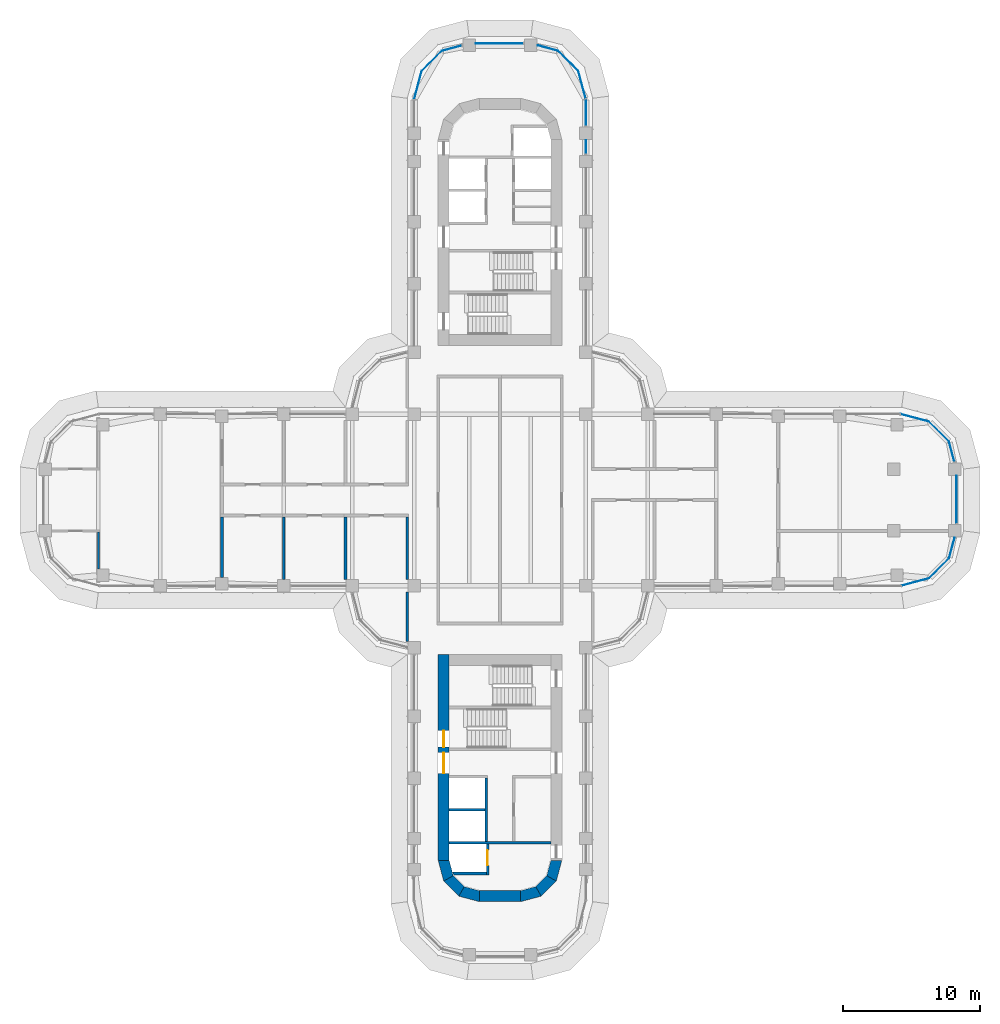
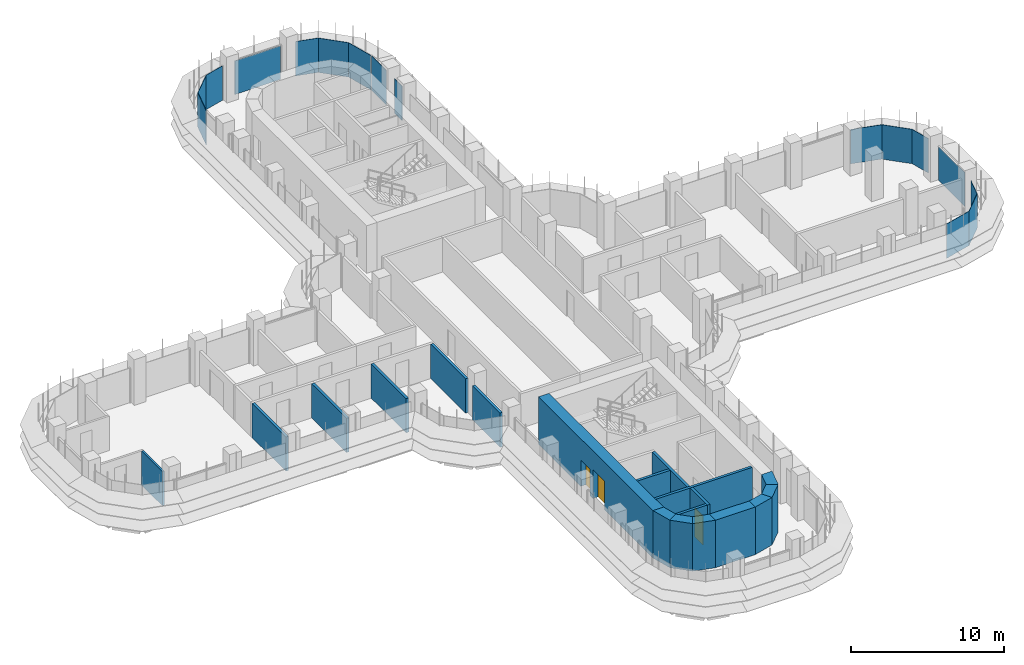
# One storey, part 16 of 23: 19 walls, 16 plates, 3 doors, 3 openings, 15 elements without a shape of their own.
"""IFC4 building model written with IfcOpenShell, lengths in metres."""

from ifc_helpers import new_model, si_unit, direction, frame, frame_2d, origin, place, context, subcontext, project, spatial, polyline, rectangle, outline, extrude, source, transform, mapped, material, layer, layer_set, type_object, element, fill, aggregate, save


model = new_model("IFC4")

# Units and contexts
model_context = context("Model", 3, precision=1e-05, world=origin(), true_north=direction((0.0, 1.0)))
body_context = subcontext(model_context, "Body", "Model", "MODEL_VIEW")
ifc_project = project(units=[si_unit("LENGTHUNIT", "METRE"), si_unit("AREAUNIT", "SQUARE_METRE"), si_unit("VOLUMEUNIT", "CUBIC_METRE"), si_unit("PLANEANGLEUNIT", "RADIAN"), si_unit("MASSUNIT", "GRAM", prefix="KILO")], contexts=[model_context])

# Site, building, storey
site_placement = place(None, origin())
site = spatial("IfcSite", under=ifc_project, at=site_placement, CompositionType="ELEMENT")
building_placement = place(site_placement, origin())
building = spatial("IfcBuilding", under=site, at=building_placement, Name="Zarbagh Exchange Tower", CompositionType="ELEMENT")
storey_placement = place(building_placement, frame((0.0, 0.0, 90.39990234375)))
storey = spatial("IfcBuildingStorey", under=building, at=storey_placement, Name="L20", CompositionType="ELEMENT", Elevation=90.39990234375)

# Curtain wall, plate
ifc_material_1 = material(Name="Anodised aluminium frame and glazing", Category="aluminium")
curtain_wall_type = type_object("IfcCurtainWallType", Name="CWA Ribbon glazing, lower zones", PredefinedType="NOTDEFINED", material=ifc_material_1)
curtain_wall_1_placement = place(storey_placement, origin())
curtain_wall_1 = element("IfcCurtainWall", 1, at=curtain_wall_1_placement, inside=storey, type_object=curtain_wall_type, Name="CWA13 curtain wall", PredefinedType="NOTDEFINED")
ifc_material_2 = material(Name="Low-e double glazed unit, 6+12+6 mm")
ifc_layer_1 = layer(ifc_material_2, 0.028076171875)
ifc_layer_set_1 = layer_set([ifc_layer_1], Name="PAA Glazing panel, Low-e double glazed unit, 6+12+6 mm")
plate_type = type_object("IfcPlateType", Name="PAA Glazing panel, Low-e double glazed unit, 6+12+6 mm", PredefinedType="CURTAIN_PANEL", material=ifc_layer_set_1)
shared_shape_1 = source(origin(), body_context, "Body", "SweptSolid", [
    extrude(outline(polyline([(0.0, -0.013916015625), (1.494140625, -0.013916015625), (1.494140625, 0.013916015625), (0.0, 0.013916015625), (0.0, -0.013916015625)])), origin(), (0.0, 0.0, 1.0), 2.75),
])
placement = place(storey_placement, origin())
plate_1 = element("IfcPlate", 2, at=placement, type_object=plate_type, Name="CWA13 glazing panel 1.1", PredefinedType="CURTAIN_PANEL", context=body_context, shape_type="MappedRepresentation", body=[
    mapped(shared_shape_1, transform((33.08544921875, 2.7978515625, 0.0), x_axis=(-0.258824779902, 0.965924289636, 0.0), y_axis=(-0.965924289636, -0.258824779902, 0.0), z_axis=(0.0, 0.0, 1.0))),
])
aggregate(curtain_wall_1, [plate_1])

curtain_wall_2_placement = place(storey_placement, origin())
curtain_wall_2 = element("IfcCurtainWall", 3, at=curtain_wall_2_placement, inside=storey, type_object=curtain_wall_type, Name="CWA25 curtain wall", PredefinedType="NOTDEFINED")
plate_2 = element("IfcPlate", 4, at=placement, type_object=plate_type, Name="CWA25 glazing panel 1.1", PredefinedType="CURTAIN_PANEL", context=body_context, shape_type="MappedRepresentation", body=[
    mapped(shared_shape_1, transform((-2.7978515625, 33.08544921875, 0.0), x_axis=(-0.965924289636, -0.258824779902, 0.0), y_axis=(0.258824779902, -0.965924289636, 0.0), z_axis=(0.0, 0.0, 1.0))),
])
aggregate(curtain_wall_2, [plate_2])

curtain_wall_3_placement = place(storey_placement, origin())
curtain_wall_3 = element("IfcCurtainWall", 5, at=curtain_wall_3_placement, inside=storey, type_object=curtain_wall_type, Name="CWA10 curtain wall", PredefinedType="NOTDEFINED")
shared_shape_2 = source(origin(), body_context, "Body", "SweptSolid", [
    extrude(outline(polyline([(0.0, -0.013916015625), (2.061279296875, -0.013916015625), (2.061279296875, 0.013916015625), (0.0, 0.013916015625), (0.0, -0.013916015625)])), origin(), (0.0, 0.0, 1.0), 2.75),
])
plate_3 = element("IfcPlate", 6, at=placement, type_object=plate_type, Name="CWA10 glazing panel 1.1", PredefinedType="CURTAIN_PANEL", context=body_context, shape_type="MappedRepresentation", body=[
    mapped(shared_shape_2, transform((31.2412109375, -5.69873046875, 0.0), x_axis=(0.707106781187, 0.707106781187, 0.0), y_axis=(-0.707106781187, 0.707106781187, 0.0), z_axis=(0.0, 0.0, 1.0))),
])
aggregate(curtain_wall_3, [plate_3])

curtain_wall_4_placement = place(storey_placement, origin())
curtain_wall_4 = element("IfcCurtainWall", 7, at=curtain_wall_4_placement, inside=storey, type_object=curtain_wall_type, Name="CWA14 curtain wall", PredefinedType="NOTDEFINED")
plate_4 = element("IfcPlate", 8, at=placement, type_object=plate_type, Name="CWA14 glazing panel 1.1", PredefinedType="CURTAIN_PANEL", context=body_context, shape_type="MappedRepresentation", body=[
    mapped(shared_shape_2, transform((32.69873046875, 4.2412109375, 0.0), x_axis=(-0.707106781187, 0.707106781187, 0.0), y_axis=(-0.707106781187, -0.707106781187, 0.0), z_axis=(0.0, 0.0, 1.0))),
])
aggregate(curtain_wall_4, [plate_4])

curtain_wall_5_placement = place(storey_placement, origin())
curtain_wall_5 = element("IfcCurtainWall", 9, at=curtain_wall_5_placement, inside=storey, type_object=curtain_wall_type, Name="CWA22 curtain wall", PredefinedType="NOTDEFINED")
plate_5 = element("IfcPlate", 10, at=placement, type_object=plate_type, Name="CWA22 glazing panel 1.1", PredefinedType="CURTAIN_PANEL", context=body_context, shape_type="MappedRepresentation", body=[
    mapped(shared_shape_2, transform((5.69873046875, 31.2412109375, 0.0), x_axis=(-0.707106781187, 0.707106781187, 0.0), y_axis=(-0.707106781187, -0.707106781187, 0.0), z_axis=(0.0, 0.0, 1.0))),
])
aggregate(curtain_wall_5, [plate_5])

curtain_wall_6_placement = place(storey_placement, origin())
curtain_wall_6 = element("IfcCurtainWall", 11, at=curtain_wall_6_placement, inside=storey, type_object=curtain_wall_type, Name="CWA26 curtain wall", PredefinedType="NOTDEFINED")
plate_6 = element("IfcPlate", 12, at=placement, type_object=plate_type, Name="CWA26 glazing panel 1.1", PredefinedType="CURTAIN_PANEL", context=body_context, shape_type="MappedRepresentation", body=[
    mapped(shared_shape_2, transform((-4.2412109375, 32.69873046875, 0.0), x_axis=(-0.707106781187, -0.707106781187, 0.0), y_axis=(0.707106781187, -0.707106781187, 0.0), z_axis=(0.0, 0.0, 1.0))),
])
aggregate(curtain_wall_6, [plate_6])

curtain_wall_7_placement = place(storey_placement, origin())
curtain_wall_7 = element("IfcCurtainWall", 13, at=curtain_wall_7_placement, inside=storey, type_object=curtain_wall_type, Name="CWA15 curtain wall", PredefinedType="NOTDEFINED")
shared_shape_3 = source(origin(), body_context, "Body", "SweptSolid", [
    extrude(outline(polyline([(0.0, -0.013916015625), (2.129638671875, -0.013916015625), (2.129638671875, 0.013916015625), (0.0, 0.013916015625), (0.0, -0.013916015625)])), origin(), (0.0, 0.0, 1.0), 2.75),
])
plate_7 = element("IfcPlate", 14, at=placement, type_object=plate_type, Name="CWA15 glazing panel 1.1", PredefinedType="CURTAIN_PANEL", context=body_context, shape_type="MappedRepresentation", body=[
    mapped(shared_shape_3, transform((31.2412109375, 5.69873046875, 0.0), x_axis=(-0.965924289636, 0.258824779902, 0.0), y_axis=(-0.258824779902, -0.965924289636, 0.0), z_axis=(0.0, 0.0, 1.0))),
])
aggregate(curtain_wall_7, [plate_7])

curtain_wall_8_placement = place(storey_placement, origin())
curtain_wall_8 = element("IfcCurtainWall", 15, at=curtain_wall_8_placement, inside=storey, type_object=curtain_wall_type, Name="CWA27 curtain wall", PredefinedType="NOTDEFINED")
plate_8 = element("IfcPlate", 16, at=placement, type_object=plate_type, Name="CWA27 glazing panel 1.1", PredefinedType="CURTAIN_PANEL", context=body_context, shape_type="MappedRepresentation", body=[
    mapped(shared_shape_3, transform((-5.69873046875, 31.2412109375, 0.0), x_axis=(-0.258824779902, -0.965924289636, 0.0), y_axis=(0.965924289636, -0.258824779902, 0.0), z_axis=(0.0, 0.0, 1.0))),
])
aggregate(curtain_wall_8, [plate_8])

curtain_wall_9_placement = place(storey_placement, origin())
curtain_wall_9 = element("IfcCurtainWall", 17, at=curtain_wall_9_placement, inside=storey, type_object=curtain_wall_type, Name="CWA09 curtain wall", PredefinedType="NOTDEFINED")
shared_shape_4 = source(origin(), body_context, "Body", "SweptSolid", [
    extrude(outline(polyline([(0.0, -0.013916015625), (2.069580078125, -0.013916015625), (2.069580078125, 0.013916015625), (0.0, 0.013916015625), (0.0, -0.013916015625)])), origin(), (0.0, 0.0, 1.0), 2.75),
])
plate_9 = element("IfcPlate", 18, at=placement, type_object=plate_type, Name="CWA09 glazing panel 1.1", PredefinedType="CURTAIN_PANEL", context=body_context, shape_type="MappedRepresentation", body=[
    mapped(shared_shape_4, transform((29.2421875, -6.234375, 0.0), x_axis=(0.965924289636, 0.258824779902, 0.0), y_axis=(-0.258824779902, 0.965924289636, 0.0), z_axis=(0.0, 0.0, 1.0))),
])
aggregate(curtain_wall_9, [plate_9])

curtain_wall_10_placement = place(storey_placement, origin())
curtain_wall_10 = element("IfcCurtainWall", 19, at=curtain_wall_10_placement, inside=storey, type_object=curtain_wall_type, Name="CWA21 curtain wall", PredefinedType="NOTDEFINED")
plate_10 = element("IfcPlate", 20, at=placement, type_object=plate_type, Name="CWA21 glazing panel 1.1", PredefinedType="CURTAIN_PANEL", context=body_context, shape_type="MappedRepresentation", body=[
    mapped(shared_shape_4, transform((6.234375, 29.2421875, 0.0), x_axis=(-0.258824779902, 0.965924289636, 0.0), y_axis=(-0.965924289636, -0.258824779902, 0.0), z_axis=(0.0, 0.0, 1.0))),
])
aggregate(curtain_wall_10, [plate_10])

curtain_wall_11_placement = place(storey_placement, origin())
curtain_wall_11 = element("IfcCurtainWall", 21, at=curtain_wall_11_placement, inside=storey, type_object=curtain_wall_type, Name="CWA11 curtain wall", PredefinedType="NOTDEFINED")
shared_shape_5 = source(origin(), body_context, "Body", "SweptSolid", [
    extrude(outline(polyline([(0.0, -0.013916015625), (1.55419921875, -0.013916015625), (1.55419921875, 0.013916015625), (0.0, 0.013916015625), (0.0, -0.013916015625)])), origin(), (0.0, 0.0, 1.0), 2.75),
])
plate_11 = element("IfcPlate", 22, at=placement, type_object=plate_type, Name="CWA11 glazing panel 1.1", PredefinedType="CURTAIN_PANEL", context=body_context, shape_type="MappedRepresentation", body=[
    mapped(shared_shape_5, transform((32.69873046875, -4.2412109375, 0.0), x_axis=(0.258824779902, 0.965924289636, 0.0), y_axis=(-0.965924289636, 0.258824779902, 0.0), z_axis=(0.0, 0.0, 1.0))),
])
aggregate(curtain_wall_11, [plate_11])

curtain_wall_12_placement = place(storey_placement, origin())
curtain_wall_12 = element("IfcCurtainWall", 23, at=curtain_wall_12_placement, inside=storey, type_object=curtain_wall_type, Name="CWA23 curtain wall", PredefinedType="NOTDEFINED")
plate_12 = element("IfcPlate", 24, at=placement, type_object=plate_type, Name="CWA23 glazing panel 1.1", PredefinedType="CURTAIN_PANEL", context=body_context, shape_type="MappedRepresentation", body=[
    mapped(shared_shape_5, transform((4.2412109375, 32.69873046875, 0.0), x_axis=(-0.965924289636, 0.258824779902, 0.0), y_axis=(-0.258824779902, -0.965924289636, 0.0), z_axis=(0.0, 0.0, 1.0))),
])
aggregate(curtain_wall_12, [plate_12])

curtain_wall_13_placement = place(storey_placement, origin())
curtain_wall_13 = element("IfcCurtainWall", 25, at=curtain_wall_13_placement, inside=storey, type_object=curtain_wall_type, Name="CWA12 curtain wall", PredefinedType="NOTDEFINED")
shared_shape_6 = source(origin(), body_context, "Body", "SweptSolid", [
    extrude(outline(polyline([(0.0, -0.013916015625), (3.4599609375, -0.013916015625), (3.4599609375, 0.013916015625), (0.0, 0.013916015625), (0.0, -0.013916015625)])), origin(), (0.0, 0.0, 1.0), 2.68994140625),
])
plate_13 = element("IfcPlate", 26, at=placement, type_object=plate_type, Name="CWA12 glazing panel 1.1", PredefinedType="CURTAIN_PANEL", context=body_context, shape_type="MappedRepresentation", body=[
    mapped(shared_shape_6, transform((33.25, -1.699951171875, 0.0), x_axis=(0.0, 1.0, 0.0), y_axis=(-1.0, 0.0, 0.0), z_axis=(0.0, 0.0, 1.0))),
])
aggregate(curtain_wall_13, [plate_13])

curtain_wall_14_placement = place(storey_placement, origin())
curtain_wall_14 = element("IfcCurtainWall", 27, at=curtain_wall_14_placement, inside=storey, type_object=curtain_wall_type, Name="CWA24 curtain wall", PredefinedType="NOTDEFINED")
plate_14 = element("IfcPlate", 28, at=placement, type_object=plate_type, Name="CWA24 glazing panel 1.1", PredefinedType="CURTAIN_PANEL", context=body_context, shape_type="MappedRepresentation", body=[
    mapped(shared_shape_6, transform((1.699951171875, 33.25, 0.0), x_axis=(-1.0, 0.0, 0.0), y_axis=(0.0, -1.0, 0.0), z_axis=(0.0, 0.0, 1.0))),
])
aggregate(curtain_wall_14, [plate_14])

# Curtain wall, plates
curtain_wall_15_placement = place(storey_placement, origin())
curtain_wall_15 = element("IfcCurtainWall", 29, at=curtain_wall_15_placement, inside=storey, type_object=curtain_wall_type, Name="CWA20 curtain wall", PredefinedType="NOTDEFINED")
shared_shape_7 = source(origin(), body_context, "Body", "SweptSolid", [
    extrude(outline(polyline([(0.0, -0.013916015625), (1.010009765625, -0.013916015625), (1.010009765625, 0.013916015625), (0.0, 0.013916015625), (0.0, -0.013916015625)])), origin(), (0.0, 0.0, 1.0), 2.75),
])
plate_15 = element("IfcPlate", 30, at=placement, type_object=plate_type, Name="CWA20 glazing panel 4.1", PredefinedType="CURTAIN_PANEL", context=body_context, shape_type="MappedRepresentation", body=[
    mapped(shared_shape_7, transform((6.25, 25.199951171875, 0.0), x_axis=(0.0, 1.0, 0.0), y_axis=(-1.0, 0.0, 0.0), z_axis=(0.0, 0.0, 1.0))),
])
shared_shape_8 = source(origin(), body_context, "Body", "SweptSolid", [
    extrude(outline(polyline([(0.0, -0.013916015625), (1.93408203125, -0.013916015625), (1.93408203125, 0.013916015625), (0.0, 0.013916015625), (0.0, -0.013916015625)])), origin(), (0.0, 0.0, 1.0), 2.75),
])
plate_16 = element("IfcPlate", 31, at=placement, type_object=plate_type, Name="CWA20 glazing panel 5.1", PredefinedType="CURTAIN_PANEL", context=body_context, shape_type="MappedRepresentation", body=[
    mapped(shared_shape_8, transform((6.25, 27.25, 0.0), x_axis=(0.0, 1.0, 0.0), y_axis=(-1.0, 0.0, 0.0), z_axis=(0.0, 0.0, 1.0))),
])
aggregate(curtain_wall_15, [plate_15, plate_16])

# Walls
ifc_material_3 = material(Name="Plasterboard partition")
ifc_layer_2 = layer(ifc_material_3, 0.14990234375)
ifc_layer_set_2 = layer_set([ifc_layer_2], Name="PARTITION 150")
wall_type_1 = type_object("IfcWallType", Name="PARTITION 150", PredefinedType="PARTITIONING", material=ifc_layer_set_2)
wall_1_placement = place(storey_placement, frame((-29.25, -5.02490234375, 0.0), z_axis=(0.0, 0.0, 1.0), x_axis=(0.0, 1.0, 0.0)))
element("IfcWall", 32, at=wall_1_placement, inside=storey, type_object=wall_type_1, Name="Partition W-643", PredefinedType="PARTITIONING", context=body_context, shape_type="SweptSolid", body=[
    extrude(rectangle(XDim=2.699951171875, YDim=0.14990234375, at=frame_2d((1.35009765625, 0.0))), origin(), (0.0, 0.0, 1.0), 2.73828125),
])
ifc_material_4 = material(Name="Fire-rated plasterboard partition")
ifc_layer_3 = layer(ifc_material_4, 0.199951171875)
ifc_layer_set_3 = layer_set([ifc_layer_3], Name="RATED PARTITION 200")
wall_type_2 = type_object("IfcWallType", Name="RATED PARTITION 200", PredefinedType="PARTITIONING", material=ifc_layer_set_3)
wall_2_placement = place(storey_placement, frame((-6.75, -10.300048828125, 0.0), z_axis=(0.0, 0.0, 1.0), x_axis=(0.0, 1.0, 0.0)))
element("IfcWall", 33, at=wall_2_placement, inside=storey, type_object=wall_type_2, Name="Partition W-604", PredefinedType="PARTITIONING", context=body_context, shape_type="SweptSolid", body=[
    extrude(rectangle(XDim=3.60009765625, YDim=0.199951171875, at=frame_2d((1.800048828125, 0.0))), origin(), (0.0, 0.0, 1.0), 2.73828125),
])
for number, where, z_axis, x_axis, name in (
    (34, (-6.75, -5.800048828125, 0.0), (0.0, 0.0, 1.0), (0.0, 1.0, 0.0), "Partition W-605"),
    (35, (-11.25, -5.800048828125, 0.0), (0.0, 0.0, 1.0), (0.0, 1.0, 0.0), "Partition W-636"),
    (36, (-15.75, -5.800048828125, 0.0), (0.0, 0.0, 1.0), (0.0, 1.0, 0.0), "Partition W-639"),
):
    element("IfcWall", number, at=place(storey_placement, frame(where, z_axis=z_axis, x_axis=x_axis)), inside=storey, type_object=wall_type_2, Name=name, PredefinedType="PARTITIONING", context=body_context, shape_type="SweptSolid", body=[
        extrude(rectangle(XDim=4.574951171875, YDim=0.199951171875, at=frame_2d((2.28759765625, 0.0))), origin(), (0.0, 0.0, 1.0), 2.73828125),
    ])
wall_3_placement = place(storey_placement, frame((-20.25, -5.659912109375, 0.0), z_axis=(0.0, 0.0, 1.0), x_axis=(0.0, 1.0, 0.0)))
element("IfcWall", 37, at=wall_3_placement, inside=storey, type_object=wall_type_2, Name="Partition W-640", PredefinedType="PARTITIONING", context=body_context, shape_type="SweptSolid", body=[
    extrude(rectangle(XDim=4.434814453125, YDim=0.199951171875, at=frame_2d((2.21728515625, 0.0))), origin(), (0.0, 0.0, 1.0), 2.73828125),
])
ifc_material_5 = material(Name="Concrete C60/75", Category="concrete")
ifc_layer_4 = layer(ifc_material_5, 0.800048828125)
ifc_layer_set_4 = layer_set([ifc_layer_4], Name="RC core corner wall 800 C60/75")
wall_type_3 = type_object("IfcWallType", Name="RC core corner wall 800 C60/75", PredefinedType="SHEAR", material=ifc_layer_set_4)
wall_4_placement = place(storey_placement, origin())
element("IfcWall", 38, at=wall_4_placement, inside=storey, type_object=wall_type_3, Name="CW4 core S corner W", PredefinedType="SHEAR", context=body_context, shape_type="SweptSolid", body=[
    extrude(outline(polyline([(-4.5, -26.25), (-4.09814453125, -27.75), (-3.4052734375, -27.35009765625), (-3.699951171875, -26.25), (-4.5, -26.25)])), origin(), (0.0, 0.0, 1.0), 3.800048828125),
])
wall_5_placement = place(storey_placement, origin())
element("IfcWall", 39, at=wall_5_placement, inside=storey, type_object=wall_type_3, Name="CW4 core S corner W", PredefinedType="SHEAR", context=body_context, shape_type="SweptSolid", body=[
    extrude(outline(polyline([(-4.09814453125, -27.75), (-3.0, -28.84814453125), (-2.60009765625, -28.1552734375), (-3.4052734375, -27.35009765625), (-4.09814453125, -27.75)])), origin(), (0.0, 0.0, 1.0), 3.800048828125),
])
wall_6_placement = place(storey_placement, origin())
element("IfcWall", 40, at=wall_6_placement, inside=storey, type_object=wall_type_3, Name="CW4 core S corner W", PredefinedType="SHEAR", context=body_context, shape_type="SweptSolid", body=[
    extrude(outline(polyline([(-3.0, -28.84814453125), (-1.5, -29.25), (-1.5, -28.449951171875), (-2.60009765625, -28.1552734375), (-3.0, -28.84814453125)])), origin(), (0.0, 0.0, 1.0), 3.800048828125),
])
wall_7_placement = place(storey_placement, origin())
element("IfcWall", 41, at=wall_7_placement, inside=storey, type_object=wall_type_3, Name="CW4 core S corner E", PredefinedType="SHEAR", context=body_context, shape_type="SweptSolid", body=[
    extrude(outline(polyline([(4.5, -26.25), (4.09814453125, -27.75), (3.4052734375, -27.35009765625), (3.699951171875, -26.25), (4.5, -26.25)])), origin(), (0.0, 0.0, 1.0), 3.800048828125),
])
wall_8_placement = place(storey_placement, origin())
element("IfcWall", 42, at=wall_8_placement, inside=storey, type_object=wall_type_3, Name="CW4 core S corner E", PredefinedType="SHEAR", context=body_context, shape_type="SweptSolid", body=[
    extrude(outline(polyline([(4.09814453125, -27.75), (3.0, -28.84814453125), (2.60009765625, -28.1552734375), (3.4052734375, -27.35009765625), (4.09814453125, -27.75)])), origin(), (0.0, 0.0, 1.0), 3.800048828125),
])
wall_9_placement = place(storey_placement, origin())
element("IfcWall", 43, at=wall_9_placement, inside=storey, type_object=wall_type_3, Name="CW4 core S corner E", PredefinedType="SHEAR", context=body_context, shape_type="SweptSolid", body=[
    extrude(outline(polyline([(3.0, -28.84814453125), (1.5, -29.25), (1.5, -28.449951171875), (2.60009765625, -28.1552734375), (3.0, -28.84814453125)])), origin(), (0.0, 0.0, 1.0), 3.800048828125),
])

# Wall, openings, doors
ifc_layer_5 = layer(ifc_material_5, 0.800048828125)
ifc_layer_set_5 = layer_set([ifc_layer_5], Name="RC core wall 800 C60/75")
wall_type_4 = type_object("IfcWallType", Name="RC core wall 800 C60/75", PredefinedType="SHEAR", material=ifc_layer_set_5)
wall_10_placement = place(storey_placement, frame((-4.10009765625, -11.25, 0.0), z_axis=(0.0, 0.0, 1.0), x_axis=(0.0, -1.0, 0.0)))
wall_10 = element("IfcWall", 44, at=wall_10_placement, inside=storey, type_object=wall_type_4, Name="CW3 core S W", PredefinedType="SHEAR", context=body_context, shape_type="SweptSolid", body=[
    extrude(rectangle(XDim=15.0, YDim=0.800048828125, at=frame_2d((7.5, 0.0))), origin(), (0.0, 0.0, 1.0), 3.800048828125),
])
opening_1_placement = place(wall_10_placement, frame((7.14990234375, 0.0, 0.0)))
opening_1 = element("IfcOpeningElement", 45, at=opening_1_placement, cuts=wall_10, Name="Opening CD1-1500", PredefinedType="OPENING", context=body_context, shape_type="SweptSolid", body=[
    extrude(rectangle(XDim=1.5, YDim=2.300048828125, at=frame_2d((0.75, 1.14990234375))), frame((0.0, 0.409912109375, 0.0), z_axis=(0.0, -1.0, 0.0), x_axis=(1.0, 0.0, 0.0)), (0.0, 0.0, 1.0), 0.820068359375),
])
opening_2_placement = place(wall_10_placement, frame((5.550048828125, 0.0, 0.0)))
opening_2 = element("IfcOpeningElement", 46, at=opening_2_placement, cuts=wall_10, Name="Opening SD1-1200", PredefinedType="OPENING", context=body_context, shape_type="SweptSolid", body=[
    extrude(rectangle(XDim=1.199951171875, YDim=2.10009765625, at=frame_2d((0.60009765625, 1.050048828125))), frame((0.0, 0.409912109375, 0.0), z_axis=(0.0, -1.0, 0.0), x_axis=(1.0, 0.0, 0.0)), (0.0, 0.0, 1.0), 0.820068359375),
])
ifc_material_6 = material(Name="Steel", Category="steel")
door_type_1 = type_object("IfcDoorType", Name="Exit stair door 1200 x 2100", OperationType="NOTDEFINED", PredefinedType="DOOR", material=ifc_material_6)
door_1_placement = place(opening_2_placement, origin())
door_1 = element("IfcDoor", 47, at=door_1_placement, inside=storey, type_object=door_type_1, Name="South core stair door ST1", OperationType="SINGLE_SWING_LEFT", OverallHeight=2.10009765625, OverallWidth=1.199951171875, PredefinedType="DOOR", context=body_context, shape_type="SweptSolid", body=[
    extrude(rectangle(XDim=1.199951171875, YDim=2.10009765625, at=frame_2d((0.60009765625, 1.050048828125))), frame((0.0, 0.02490234375, 0.0), z_axis=(0.0, -1.0, 0.0), x_axis=(1.0, 0.0, 0.0)), (0.0, 0.0, 1.0), 0.050048828125),
])
fill(opening_2, door_1)
door_type_2 = type_object("IfcDoorType", Name="Lift lobby double door 1500 x 2300", OperationType="NOTDEFINED", PredefinedType="DOOR", material=ifc_material_6)
door_2_placement = place(opening_1_placement, origin())
door_2 = element("IfcDoor", 48, at=door_2_placement, inside=storey, type_object=door_type_2, Name="South core lift lobby door LOBBY-E", OperationType="DOUBLE_DOOR_SINGLE_SWING", OverallHeight=2.300048828125, OverallWidth=1.5, PredefinedType="DOOR", context=body_context, shape_type="SweptSolid", body=[
    extrude(rectangle(XDim=1.5, YDim=2.300048828125, at=frame_2d((0.75, 1.14990234375))), frame((0.0, 0.02490234375, 0.0), z_axis=(0.0, -1.0, 0.0), x_axis=(1.0, 0.0, 0.0)), (0.0, 0.0, 1.0), 0.050048828125),
])
fill(opening_1, door_2)

# Walls
wall_11_placement = place(storey_placement, frame((-1.5, -28.85009765625, 0.0), z_axis=(0.0, 0.0, 1.0), x_axis=(1.0, 0.0, 0.0)))
element("IfcWall", 49, at=wall_11_placement, inside=storey, type_object=wall_type_4, Name="CW3 core S outer end", PredefinedType="SHEAR", context=body_context, shape_type="SweptSolid", body=[
    extrude(rectangle(XDim=3.0, YDim=0.800048828125, at=frame_2d((1.5, 0.0))), origin(), (0.0, 0.0, 1.0), 3.800048828125),
])
ifc_material_7 = material(Name="Dense blockwork", Category="masonry")
ifc_layer_6 = layer(ifc_material_7, 0.199951171875)
ifc_layer_set_6 = layer_set([ifc_layer_6], Name="Shaft wall 200 mm blockwork")
wall_type_5 = type_object("IfcWallType", Name="Shaft wall 200 mm blockwork", PredefinedType="PARTITIONING", material=ifc_layer_set_6)
wall_12_placement = place(storey_placement, frame((-1.0, -24.85009765625, 0.0), z_axis=(0.0, 0.0, 1.0), x_axis=(0.0, 1.0, 0.0)))
element("IfcWall", 50, at=wall_12_placement, inside=storey, type_object=wall_type_5, Name="South core shaft wall LW-E", PredefinedType="PARTITIONING", context=body_context, shape_type="SweptSolid", body=[
    extrude(rectangle(XDim=4.60009765625, YDim=0.199951171875, at=frame_2d((2.300048828125, 0.0))), origin(), (0.0, 0.0, 1.0), 3.650146484375),
])
wall_13_placement = place(storey_placement, frame((-1.10009765625, -22.550048828125, 0.0), z_axis=(0.0, 0.0, 1.0), x_axis=(-1.0, 0.0, 0.0)))
element("IfcWall", 51, at=wall_13_placement, inside=storey, type_object=wall_type_5, Name="South core shaft wall TR-E", PredefinedType="PARTITIONING", context=body_context, shape_type="SweptSolid", body=[
    extrude(rectangle(XDim=2.599853515625, YDim=0.199951171875, at=frame_2d((1.2998046875, 0.0))), origin(), (0.0, 0.0, 1.0), 3.650146484375),
])
ifc_material_8 = material(Name="Concrete C40/50", Category="concrete")
ifc_layer_7 = layer(ifc_material_8, 0.199951171875)
ifc_layer_set_7 = layer_set([ifc_layer_7], Name="Stair enclosure wall 200 mm RC C40/50")
wall_type_6 = type_object("IfcWallType", Name="Stair enclosure wall 200 mm RC C40/50", PredefinedType="SHEAR", material=ifc_layer_set_7)
wall_14_placement = place(storey_placement, frame((3.699951171875, -24.949951171875, 0.0), z_axis=(0.0, 0.0, 1.0), x_axis=(-1.0, 0.0, 0.0)))
element("IfcWall", 52, at=wall_14_placement, inside=storey, type_object=wall_type_6, Name="South core lift shaft wall FFA", PredefinedType="SHEAR", context=body_context, shape_type="SweptSolid", body=[
    extrude(rectangle(XDim=7.39990234375, YDim=0.199951171875, at=frame_2d((3.699951171875, 0.0))), origin(), (0.0, 0.0, 1.0), 3.650146484375),
])

# Wall, opening, door
wall_15_placement = place(storey_placement, frame((-0.89990234375, -27.300048828125, 0.0), z_axis=(0.0, 0.0, 1.0), x_axis=(0.0, 1.0, 0.0)))
wall_15 = element("IfcWall", 53, at=wall_15_placement, inside=storey, type_object=wall_type_6, Name="South core lift shaft wall FFL", PredefinedType="SHEAR", context=body_context, shape_type="SweptSolid", body=[
    extrude(rectangle(XDim=2.25, YDim=0.199951171875, at=frame_2d((1.125, 0.0))), origin(), (0.0, 0.0, 1.0), 3.650146484375),
])
opening_3_placement = place(wall_15_placement, frame((0.699951171875, 0.0, 0.0)))
opening_3 = element("IfcOpeningElement", 54, at=opening_3_placement, cuts=wall_15, Name="Opening LD-1100", PredefinedType="OPENING", context=body_context, shape_type="SweptSolid", body=[
    extrude(rectangle(XDim=1.10009765625, YDim=2.300048828125, at=frame_2d((0.550048828125, 1.14990234375))), frame((0.0, 0.10986328125, 0.0), z_axis=(0.0, -1.0, 0.0), x_axis=(1.0, 0.0, 0.0)), (0.0, 0.0, 1.0), 0.219970703125),
])
ifc_material_9 = material(Name="Stainless steel", Category="steel")
door_type_3 = type_object("IfcDoorType", Name="Lift landing door 1100 x 2300", OperationType="NOTDEFINED", PredefinedType="DOOR", material=ifc_material_9)
door_3_placement = place(opening_3_placement, origin())
door_3 = element("IfcDoor", 55, at=door_3_placement, inside=storey, type_object=door_type_3, Name="South core lift landing door LD-F", OperationType="DOUBLE_DOOR_SLIDING", OverallHeight=2.300048828125, OverallWidth=1.10009765625, PredefinedType="DOOR", context=body_context, shape_type="SweptSolid", body=[
    extrude(rectangle(XDim=1.10009765625, YDim=2.300048828125, at=frame_2d((0.550048828125, 1.14990234375))), frame((0.0, 0.02490234375, 0.0), z_axis=(0.0, -1.0, 0.0), x_axis=(1.0, 0.0, 0.0)), (0.0, 0.0, 1.0), 0.050048828125),
])
fill(opening_3, door_3)

# Wall
wall_16_placement = place(storey_placement, origin())
element("IfcWall", 56, at=wall_16_placement, inside=storey, type_object=wall_type_6, Name="South core lift shaft wall FFX", PredefinedType="SHEAR", context=body_context, shape_type="SweptSolid", body=[
    extrude(outline(polyline([(-1.0, -27.10009765625), (-3.444091796875, -27.10009765625), (-3.390380859375, -27.300048828125), (-1.0, -27.300048828125), (-1.0, -27.10009765625)])), origin(), (0.0, 0.0, 1.0), 3.650146484375),
])

save(model, "model.ifc")
